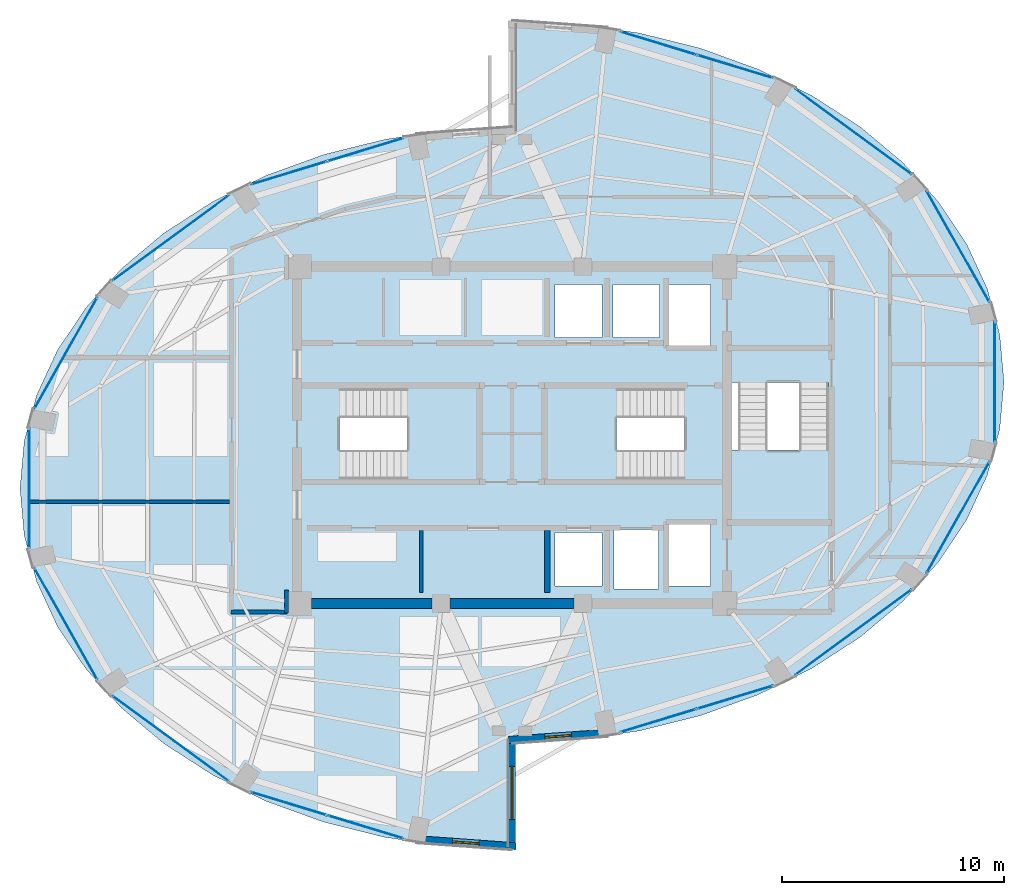
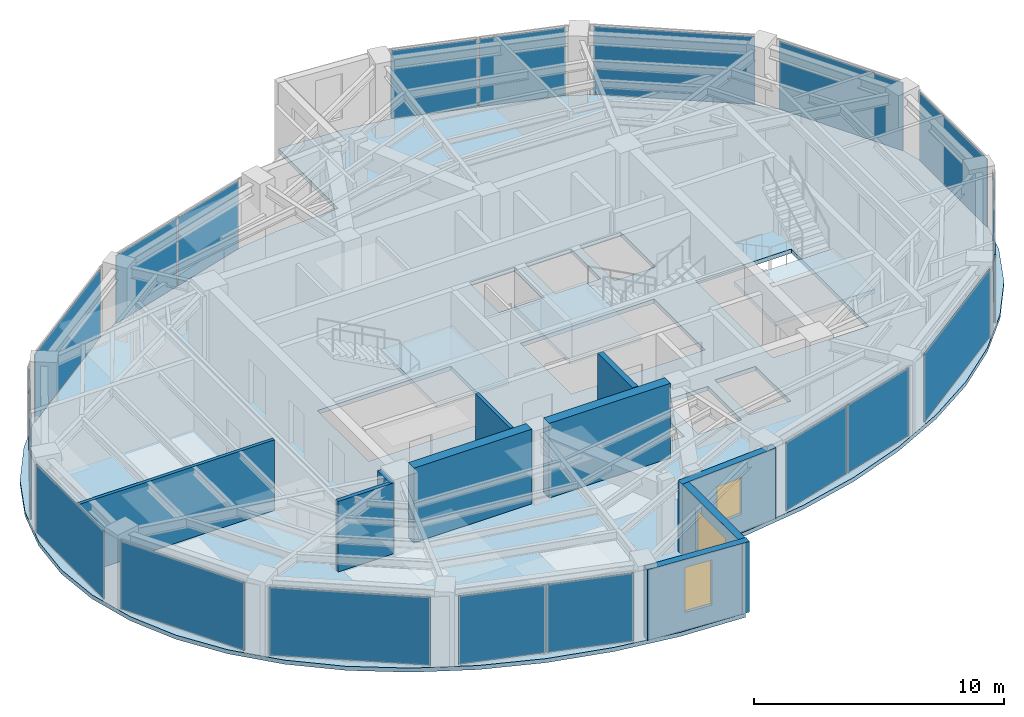
# One storey, part 18 of 23: 18 plates, 10 walls, 4 slabs, 3 windows, 3 openings, 17 elements without a shape of their own.
"""IFC4 building model written with IfcOpenShell, lengths in metres."""

from ifc_helpers import new_model, si_unit, direction, frame, frame_2d, origin, origin_2d, place, context, subcontext, project, spatial, polyline, rectangle, outline, extrude, material, layer, layer_set, type_object, element, fill, aggregate, save


model = new_model("IFC4")

# Units and contexts
model_context = context("Model", 3, precision=1e-05, world=origin(), true_north=direction((0.0, 1.0)))
body_context = subcontext(model_context, "Body", "Model", "MODEL_VIEW")
ifc_project = project(units=[si_unit("LENGTHUNIT", "METRE"), si_unit("AREAUNIT", "SQUARE_METRE"), si_unit("VOLUMEUNIT", "CUBIC_METRE"), si_unit("PLANEANGLEUNIT", "RADIAN"), si_unit("MASSUNIT", "GRAM", prefix="KILO")], contexts=[model_context])

# Site, building, storey
site_placement = place(None, origin())
site = spatial("IfcSite", under=ifc_project, at=site_placement, CompositionType="ELEMENT")
building_placement = place(site_placement, origin())
building = spatial("IfcBuilding", under=site, at=building_placement, Name="Lazwardi Medical Tower", CompositionType="ELEMENT")
storey_placement = place(building_placement, frame((0.0, 0.0, 262.320068359375)))
storey = spatial("IfcBuildingStorey", under=building, at=storey_placement, Name="L68", CompositionType="ELEMENT", Elevation=262.320068359375)

# Curtain wall, plates
ifc_material_1 = material(Name="Anodised bronze aluminium and solar control glazing", Category="aluminium")
ifc_layer_1 = layer(ifc_material_1, 0.18994140625)
ifc_layer_set_1 = layer_set([ifc_layer_1], Name="Anodised bronze aluminium and solar control glazing")
curtain_wall_type = type_object("IfcCurtainWallType", Name="CW-SYS-04", PredefinedType="NOTDEFINED", material=ifc_layer_set_1)
curtain_wall_1_placement = place(storey_placement, origin())
curtain_wall_1 = element("IfcCurtainWall", 1, at=curtain_wall_1_placement, inside=storey, type_object=curtain_wall_type, Name="L68 Unitised bronze curtain wall CW-04", PredefinedType="NOTDEFINED")
ifc_material_2 = material(Name="Low-e bronze solar control double glazing", Category="glass")
ifc_layer_2 = layer(ifc_material_2, 0.035888671875)
ifc_layer_set_2 = layer_set([ifc_layer_2], Name="Low-e bronze solar control double glazing")
plate_type = type_object("IfcPlateType", Name="PLT-GLZ-01", PredefinedType="CURTAIN_PANEL", material=ifc_layer_set_2)
plate_1_placement = place(storey_placement, frame((42.604736328125, 15.118896484375, 0.06494140625), z_axis=(0.0, 0.0, 1.0), x_axis=(0.956850126972, 0.290581889515, 0.0)))
plate_1 = element("IfcPlate", 2, at=plate_1_placement, type_object=plate_type, Name="CW-04 panel 1.1", PredefinedType="CURTAIN_PANEL", context=body_context, shape_type="SweptSolid", body=[
    extrude(rectangle(XDim=3.554443359375, YDim=0.035888671875, at=origin_2d()), origin(), (0.0, 0.0, 1.0), 3.318115234375),
])
plate_2_placement = place(storey_placement, frame((46.068115234375, 16.170654296875, 0.06494140625), z_axis=(0.0, 0.0, 1.0), x_axis=(0.956850126972, 0.290581889515, 0.0)))
plate_2 = element("IfcPlate", 3, at=plate_2_placement, type_object=plate_type, Name="CW-04 panel 2.1", PredefinedType="CURTAIN_PANEL", context=body_context, shape_type="SweptSolid", body=[
    extrude(rectangle(XDim=3.554443359375, YDim=0.035888671875, at=origin_2d()), origin(), (0.0, 0.0, 1.0), 3.318115234375),
])
aggregate(curtain_wall_1, [plate_1, plate_2])

# Curtain wall, plate
curtain_wall_2_placement = place(storey_placement, origin())
curtain_wall_2 = element("IfcCurtainWall", 4, at=curtain_wall_2_placement, inside=storey, type_object=curtain_wall_type, Name="L68 Unitised bronze curtain wall CW-04", PredefinedType="NOTDEFINED")
plate_3_placement = place(storey_placement, frame((51.403564453125, 19.106689453125, 0.06494140625), z_axis=(0.0, 0.0, 1.0), x_axis=(0.806474971121, 0.591268230971, 0.0)))
plate_3 = element("IfcPlate", 5, at=plate_3_placement, type_object=plate_type, Name="CW-04 panel 1.1", PredefinedType="CURTAIN_PANEL", context=body_context, shape_type="SweptSolid", body=[
    extrude(rectangle(XDim=6.502685546875, YDim=0.035888671875, at=origin_2d()), origin(), (0.0, 0.0, 1.0), 3.318115234375),
])
aggregate(curtain_wall_2, [plate_3])

curtain_wall_3_placement = place(storey_placement, origin())
curtain_wall_3 = element("IfcCurtainWall", 6, at=curtain_wall_3_placement, inside=storey, type_object=curtain_wall_type, Name="L68 Unitised bronze curtain wall CW-04", PredefinedType="NOTDEFINED")
plate_4_placement = place(storey_placement, frame((56.125732421875, 24.2880859375, 0.06494140625), z_axis=(0.0, 0.0, 1.0), x_axis=(0.491900474661, 0.870651436011, 0.0)))
plate_4 = element("IfcPlate", 7, at=plate_4_placement, type_object=plate_type, Name="CW-04 panel 1.1", PredefinedType="CURTAIN_PANEL", context=body_context, shape_type="SweptSolid", body=[
    extrude(rectangle(XDim=5.755126953125, YDim=0.035888671875, at=origin_2d()), origin(), (0.0, 0.0, 1.0), 3.318115234375),
])
aggregate(curtain_wall_3, [plate_4])

curtain_wall_4_placement = place(storey_placement, origin())
curtain_wall_4 = element("IfcCurtainWall", 8, at=curtain_wall_4_placement, inside=storey, type_object=curtain_wall_type, Name="L68 Unitised bronze curtain wall CW-04", PredefinedType="NOTDEFINED")
plate_5_placement = place(storey_placement, frame((57.7841796875, 30.39990234375, 0.06494140625), z_axis=(0.0, 0.0, 1.0), x_axis=(0.0, 1.0, 0.0)))
plate_5 = element("IfcPlate", 9, at=plate_5_placement, type_object=plate_type, Name="CW-04 panel 1.1", PredefinedType="CURTAIN_PANEL", context=body_context, shape_type="SweptSolid", body=[
    extrude(rectangle(XDim=5.416015625, YDim=0.035888671875, at=origin_2d()), origin(), (0.0, 0.0, 1.0), 3.318115234375),
])
aggregate(curtain_wall_4, [plate_5])

curtain_wall_5_placement = place(storey_placement, origin())
curtain_wall_5 = element("IfcCurtainWall", 10, at=curtain_wall_5_placement, inside=storey, type_object=curtain_wall_type, Name="L68 Unitised bronze curtain wall CW-04", PredefinedType="NOTDEFINED")
plate_6_placement = place(storey_placement, frame((56.125732421875, 36.511962890625, 0.06494140625), z_axis=(0.0, 0.0, 1.0), x_axis=(-0.491900474661, 0.870651436011, 0.0)))
plate_6 = element("IfcPlate", 11, at=plate_6_placement, type_object=plate_type, Name="CW-04 panel 1.1", PredefinedType="CURTAIN_PANEL", context=body_context, shape_type="SweptSolid", body=[
    extrude(rectangle(XDim=5.755126953125, YDim=0.035888671875, at=origin_2d()), origin(), (0.0, 0.0, 1.0), 3.318115234375),
])
aggregate(curtain_wall_5, [plate_6])

curtain_wall_6_placement = place(storey_placement, origin())
curtain_wall_6 = element("IfcCurtainWall", 12, at=curtain_wall_6_placement, inside=storey, type_object=curtain_wall_type, Name="L68 Unitised bronze curtain wall CW-04", PredefinedType="NOTDEFINED")
plate_7_placement = place(storey_placement, frame((51.403564453125, 41.693359375, 0.06494140625), z_axis=(0.0, 0.0, 1.0), x_axis=(-0.806474971121, 0.591268230971, 0.0)))
plate_7 = element("IfcPlate", 13, at=plate_7_placement, type_object=plate_type, Name="CW-04 panel 1.1", PredefinedType="CURTAIN_PANEL", context=body_context, shape_type="SweptSolid", body=[
    extrude(rectangle(XDim=6.502685546875, YDim=0.035888671875, at=origin_2d()), origin(), (0.0, 0.0, 1.0), 3.318115234375),
])
aggregate(curtain_wall_6, [plate_7])

# Curtain wall, plates
curtain_wall_7_placement = place(storey_placement, origin())
curtain_wall_7 = element("IfcCurtainWall", 14, at=curtain_wall_7_placement, inside=storey, type_object=curtain_wall_type, Name="L68 Unitised bronze curtain wall CW-04", PredefinedType="NOTDEFINED")
plate_8_placement = place(storey_placement, frame((46.068115234375, 44.62939453125, 0.06494140625), z_axis=(0.0, 0.0, 1.0), x_axis=(-0.956850126972, 0.290581889515, 0.0)))
plate_8 = element("IfcPlate", 15, at=plate_8_placement, type_object=plate_type, Name="CW-04 panel 1.1", PredefinedType="CURTAIN_PANEL", context=body_context, shape_type="SweptSolid", body=[
    extrude(rectangle(XDim=3.554443359375, YDim=0.035888671875, at=origin_2d()), origin(), (0.0, 0.0, 1.0), 3.318115234375),
])
plate_9_placement = place(storey_placement, frame((42.604736328125, 45.68115234375, 0.06494140625), z_axis=(0.0, 0.0, 1.0), x_axis=(-0.956850126972, 0.290581889515, 0.0)))
plate_9 = element("IfcPlate", 16, at=plate_9_placement, type_object=plate_type, Name="CW-04 panel 2.1", PredefinedType="CURTAIN_PANEL", context=body_context, shape_type="SweptSolid", body=[
    extrude(rectangle(XDim=3.554443359375, YDim=0.035888671875, at=origin_2d()), origin(), (0.0, 0.0, 1.0), 3.318115234375),
])
aggregate(curtain_wall_7, [plate_8, plate_9])

curtain_wall_8_placement = place(storey_placement, origin())
curtain_wall_8 = element("IfcCurtainWall", 17, at=curtain_wall_8_placement, inside=storey, type_object=curtain_wall_type, Name="L68 Unitised bronze curtain wall CW-04", PredefinedType="NOTDEFINED")
plate_10_placement = place(storey_placement, frame((29.395263671875, 40.881103515625, 0.06494140625), z_axis=(0.0, 0.0, 1.0), x_axis=(-0.956850126972, -0.290581889515, 0.0)))
plate_10 = element("IfcPlate", 18, at=plate_10_placement, type_object=plate_type, Name="CW-04 panel 1.1", PredefinedType="CURTAIN_PANEL", context=body_context, shape_type="SweptSolid", body=[
    extrude(rectangle(XDim=3.554443359375, YDim=0.035888671875, at=origin_2d()), origin(), (0.0, 0.0, 1.0), 3.318115234375),
])
plate_11_placement = place(storey_placement, frame((25.931884765625, 39.829345703125, 0.06494140625), z_axis=(0.0, 0.0, 1.0), x_axis=(-0.956850126972, -0.290581889515, 0.0)))
plate_11 = element("IfcPlate", 19, at=plate_11_placement, type_object=plate_type, Name="CW-04 panel 2.1", PredefinedType="CURTAIN_PANEL", context=body_context, shape_type="SweptSolid", body=[
    extrude(rectangle(XDim=3.554443359375, YDim=0.035888671875, at=origin_2d()), origin(), (0.0, 0.0, 1.0), 3.318115234375),
])
aggregate(curtain_wall_8, [plate_10, plate_11])

# Curtain wall, plate
curtain_wall_9_placement = place(storey_placement, origin())
curtain_wall_9 = element("IfcCurtainWall", 20, at=curtain_wall_9_placement, inside=storey, type_object=curtain_wall_type, Name="L68 Unitised bronze curtain wall CW-04", PredefinedType="NOTDEFINED")
plate_12_placement = place(storey_placement, frame((20.596435546875, 36.893310546875, 0.06494140625), z_axis=(0.0, 0.0, 1.0), x_axis=(-0.806474971121, -0.591268230971, 0.0)))
plate_12 = element("IfcPlate", 21, at=plate_12_placement, type_object=plate_type, Name="CW-04 panel 1.1", PredefinedType="CURTAIN_PANEL", context=body_context, shape_type="SweptSolid", body=[
    extrude(rectangle(XDim=6.502685546875, YDim=0.035888671875, at=origin_2d()), origin(), (0.0, 0.0, 1.0), 3.318115234375),
])
aggregate(curtain_wall_9, [plate_12])

curtain_wall_10_placement = place(storey_placement, origin())
curtain_wall_10 = element("IfcCurtainWall", 22, at=curtain_wall_10_placement, inside=storey, type_object=curtain_wall_type, Name="L68 Unitised bronze curtain wall CW-04", PredefinedType="NOTDEFINED")
plate_13_placement = place(storey_placement, frame((15.874267578125, 31.7119140625, 0.06494140625), z_axis=(0.0, 0.0, 1.0), x_axis=(-0.491900474661, -0.870651436011, 0.0)))
plate_13 = element("IfcPlate", 23, at=plate_13_placement, type_object=plate_type, Name="CW-04 panel 1.1", PredefinedType="CURTAIN_PANEL", context=body_context, shape_type="SweptSolid", body=[
    extrude(rectangle(XDim=5.755126953125, YDim=0.035888671875, at=origin_2d()), origin(), (0.0, 0.0, 1.0), 3.318115234375),
])
aggregate(curtain_wall_10, [plate_13])

curtain_wall_11_placement = place(storey_placement, origin())
curtain_wall_11 = element("IfcCurtainWall", 24, at=curtain_wall_11_placement, inside=storey, type_object=curtain_wall_type, Name="L68 Unitised bronze curtain wall CW-04", PredefinedType="NOTDEFINED")
plate_14_placement = place(storey_placement, frame((14.2158203125, 25.60009765625, 0.06494140625), z_axis=(0.0, 0.0, 1.0), x_axis=(0.0, -1.0, 0.0)))
plate_14 = element("IfcPlate", 25, at=plate_14_placement, type_object=plate_type, Name="CW-04 panel 1.1", PredefinedType="CURTAIN_PANEL", context=body_context, shape_type="SweptSolid", body=[
    extrude(rectangle(XDim=5.416015625, YDim=0.035888671875, at=origin_2d()), origin(), (0.0, 0.0, 1.0), 3.318115234375),
])
aggregate(curtain_wall_11, [plate_14])

curtain_wall_12_placement = place(storey_placement, origin())
curtain_wall_12 = element("IfcCurtainWall", 26, at=curtain_wall_12_placement, inside=storey, type_object=curtain_wall_type, Name="L68 Unitised bronze curtain wall CW-04", PredefinedType="NOTDEFINED")
plate_15_placement = place(storey_placement, frame((15.874267578125, 19.488037109375, 0.06494140625), z_axis=(0.0, 0.0, 1.0), x_axis=(0.491900474661, -0.870651436011, 0.0)))
plate_15 = element("IfcPlate", 27, at=plate_15_placement, type_object=plate_type, Name="CW-04 panel 1.1", PredefinedType="CURTAIN_PANEL", context=body_context, shape_type="SweptSolid", body=[
    extrude(rectangle(XDim=5.755126953125, YDim=0.035888671875, at=origin_2d()), origin(), (0.0, 0.0, 1.0), 3.318115234375),
])
aggregate(curtain_wall_12, [plate_15])

curtain_wall_13_placement = place(storey_placement, origin())
curtain_wall_13 = element("IfcCurtainWall", 28, at=curtain_wall_13_placement, inside=storey, type_object=curtain_wall_type, Name="L68 Unitised bronze curtain wall CW-04", PredefinedType="NOTDEFINED")
plate_16_placement = place(storey_placement, frame((20.596435546875, 14.306640625, 0.06494140625), z_axis=(0.0, 0.0, 1.0), x_axis=(0.806474971121, -0.591268230971, 0.0)))
plate_16 = element("IfcPlate", 29, at=plate_16_placement, type_object=plate_type, Name="CW-04 panel 1.1", PredefinedType="CURTAIN_PANEL", context=body_context, shape_type="SweptSolid", body=[
    extrude(rectangle(XDim=6.502685546875, YDim=0.035888671875, at=origin_2d()), origin(), (0.0, 0.0, 1.0), 3.318115234375),
])
aggregate(curtain_wall_13, [plate_16])

# Curtain wall, plates
curtain_wall_14_placement = place(storey_placement, origin())
curtain_wall_14 = element("IfcCurtainWall", 30, at=curtain_wall_14_placement, inside=storey, type_object=curtain_wall_type, Name="L68 Unitised bronze curtain wall CW-04", PredefinedType="NOTDEFINED")
plate_17_placement = place(storey_placement, frame((25.931884765625, 11.37060546875, 0.06494140625), z_axis=(0.0, 0.0, 1.0), x_axis=(0.956850126972, -0.290581889515, 0.0)))
plate_17 = element("IfcPlate", 31, at=plate_17_placement, type_object=plate_type, Name="CW-04 panel 1.1", PredefinedType="CURTAIN_PANEL", context=body_context, shape_type="SweptSolid", body=[
    extrude(rectangle(XDim=3.554443359375, YDim=0.035888671875, at=origin_2d()), origin(), (0.0, 0.0, 1.0), 3.318115234375),
])
plate_18_placement = place(storey_placement, frame((29.395263671875, 10.31884765625, 0.06494140625), z_axis=(0.0, 0.0, 1.0), x_axis=(0.956850126972, -0.290581889515, 0.0)))
plate_18 = element("IfcPlate", 32, at=plate_18_placement, type_object=plate_type, Name="CW-04 panel 2.1", PredefinedType="CURTAIN_PANEL", context=body_context, shape_type="SweptSolid", body=[
    extrude(rectangle(XDim=3.554443359375, YDim=0.035888671875, at=origin_2d()), origin(), (0.0, 0.0, 1.0), 3.318115234375),
])
aggregate(curtain_wall_14, [plate_17, plate_18])

# Stair, slab
ifc_material_3 = material(Name="Concrete C45/55", Category="concrete")
stair_type = type_object("IfcStairType", Name="STR-WRD", PredefinedType="HALF_TURN_STAIR", material=ifc_material_3)
stair_1_placement = place(storey_placement, origin())
stair_1 = element("IfcStair", 33, at=stair_1_placement, inside=storey, type_object=stair_type, Name="L68 Protected Exit Stair ST1", PredefinedType="HALF_TURN_STAIR")
ifc_layer_3 = layer(ifc_material_3, 0.199951171875)
ifc_layer_set_3 = layer_set([ifc_layer_3], Name="Concrete C45/55")
slab_type_1 = type_object("IfcSlabType", Name="SLB-LND-190", PredefinedType="LANDING", material=ifc_layer_set_3)
slab_1_placement = place(storey_placement, frame((0.0, 0.0, 1.6240234375)))
slab_1 = element("IfcSlab", 34, at=slab_1_placement, type_object=slab_type_1, Name="ST1 landing 1", PredefinedType="LANDING", context=body_context, shape_type="SweptSolid", body=[
    extrude(outline(polyline([(31.27490234375, 25.840087890625), (34.580078125, 25.840087890625), (34.580078125, 30.280029296875), (31.27490234375, 30.280029296875), (31.27490234375, 25.840087890625)])), origin(), (0.0, 0.0, 1.0), 0.199951171875),
])
aggregate(stair_1, [slab_1])

stair_2_placement = place(storey_placement, origin())
stair_2 = element("IfcStair", 35, at=stair_2_placement, inside=storey, type_object=stair_type, Name="L68 Protected Exit Stair ST2", PredefinedType="HALF_TURN_STAIR")
slab_2_placement = place(storey_placement, frame((0.0, 0.0, 1.6240234375)))
slab_2 = element("IfcSlab", 36, at=slab_2_placement, type_object=slab_type_1, Name="ST2 landing 1", PredefinedType="LANDING", context=body_context, shape_type="SweptSolid", body=[
    extrude(outline(polyline([(40.72509765625, 30.280029296875), (37.419921875, 30.280029296875), (37.419921875, 25.840087890625), (40.72509765625, 25.840087890625), (40.72509765625, 30.280029296875)])), origin(), (0.0, 0.0, 1.0), 0.199951171875),
])
aggregate(stair_2, [slab_2])

stair_3_placement = place(storey_placement, origin())
stair_3 = element("IfcStair", 37, at=stair_3_placement, inside=storey, type_object=stair_type, Name="L68 Protected Exit Stair ST3", PredefinedType="HALF_TURN_STAIR")
slab_3_placement = place(storey_placement, frame((0.0, 0.0, 1.6240234375)))
slab_3 = element("IfcSlab", 38, at=slab_3_placement, type_object=slab_type_1, Name="ST3 landing 1", PredefinedType="LANDING", context=body_context, shape_type="SweptSolid", body=[
    extrude(outline(polyline([(45.860107421875, 27.324951171875), (45.860107421875, 24.02001953125), (50.4599609375, 24.02001953125), (50.4599609375, 27.324951171875), (45.860107421875, 27.324951171875)])), origin(), (0.0, 0.0, 1.0), 0.199951171875),
])
aggregate(stair_3, [slab_3])

# Slab
ifc_material_4 = material(Name="Concrete C50/60", Category="concrete")
ifc_layer_4 = layer(ifc_material_4, 0.199951171875)
ifc_layer_set_4 = layer_set([ifc_layer_4], Name="Concrete C50/60")
slab_type_2 = type_object("IfcSlabType", Name="SLB-UPP-200", PredefinedType="FLOOR", material=ifc_layer_set_4)
slab_4_placement = place(storey_placement, frame((0.0, 0.0, -0.199951171875)))
element("IfcSlab", 39, at=slab_4_placement, inside=storey, type_object=slab_type_2, Name="Structural floor slab SF-04 L68", PredefinedType="FLOOR", context=body_context, shape_type="SweptSolid", body=[
    extrude(outline(polyline([(18.3876953125, 15.67724609375), (20.30224609375, 14.07421875), (22.485595703125, 12.668212890625), (24.89990234375, 11.48388671875), (27.50439453125, 10.540771484375), (30.254150390625, 9.85546875), (33.102294921875, 9.439453125), (36.0, 9.300048828125), (36.0, 14.10009765625), (38.897705078125, 14.239501953125), (41.745849609375, 14.655517578125), (44.49560546875, 15.3408203125), (47.10009765625, 16.28369140625), (49.514404296875, 17.46826171875), (51.69775390625, 18.874267578125), (53.6123046875, 20.477294921875), (55.225830078125, 22.25), (56.510009765625, 24.162353515625), (57.443603515625, 26.18115234375), (58.010009765625, 28.2724609375), (58.199951171875, 30.39990234375), (58.010009765625, 32.527587890625), (57.443603515625, 34.618896484375), (56.510009765625, 36.6376953125), (55.225830078125, 38.550048828125), (53.6123046875, 40.32275390625), (51.69775390625, 41.92578125), (49.514404296875, 43.331787109375), (47.10009765625, 44.51611328125), (44.49560546875, 45.459228515625), (41.745849609375, 46.14453125), (38.897705078125, 46.560546875), (36.0, 46.699951171875), (36.0, 41.89990234375), (33.102294921875, 41.760498046875), (30.254150390625, 41.344482421875), (27.50439453125, 40.6591796875), (24.89990234375, 39.71630859375), (22.485595703125, 38.53173828125), (20.30224609375, 37.125732421875), (18.3876953125, 35.522705078125), (16.774169921875, 33.75), (15.489990234375, 31.837646484375), (14.556396484375, 29.81884765625), (13.989990234375, 27.7275390625), (13.800048828125, 25.60009765625), (13.989990234375, 23.472412109375), (14.556396484375, 21.381103515625), (15.489990234375, 19.3623046875), (16.774169921875, 17.449951171875), (18.3876953125, 15.67724609375)]), holes=[polyline([(28.22509765625, 26.02001953125), (28.22509765625, 30.10009765625), (34.39990234375, 30.10009765625), (34.39990234375, 26.02001953125), (28.22509765625, 26.02001953125)]), polyline([(37.60009765625, 30.10009765625), (43.77490234375, 30.10009765625), (43.77490234375, 26.02001953125), (37.60009765625, 26.02001953125), (37.60009765625, 30.10009765625)]), polyline([(50.280029296875, 30.375), (50.280029296875, 24.179931640625), (45.840087890625, 24.179931640625), (45.840087890625, 30.375), (50.280029296875, 30.375)]), polyline([(40.050048828125, 32.39990234375), (37.949951171875, 32.39990234375), (37.949951171875, 34.800048828125), (40.050048828125, 34.800048828125), (40.050048828125, 32.39990234375)]), polyline([(40.550048828125, 32.39990234375), (40.550048828125, 34.800048828125), (42.64990234375, 34.800048828125), (42.64990234375, 32.39990234375), (40.550048828125, 32.39990234375)]), polyline([(37.949951171875, 23.60009765625), (40.050048828125, 23.60009765625), (40.050048828125, 21.199951171875), (37.949951171875, 21.199951171875), (37.949951171875, 23.60009765625)]), polyline([(44.949951171875, 34.800048828125), (44.949951171875, 32.0), (43.050048828125, 32.0), (43.050048828125, 34.800048828125), (44.949951171875, 34.800048828125)]), polyline([(44.949951171875, 21.199951171875), (43.050048828125, 21.199951171875), (43.050048828125, 24.0), (44.949951171875, 24.0), (44.949951171875, 21.199951171875)]), polyline([(40.60009765625, 21.050048828125), (40.60009765625, 23.75), (42.60009765625, 23.75), (42.60009765625, 21.050048828125), (40.60009765625, 21.050048828125)])]), origin(), (0.0, 0.0, 1.0), 0.199951171875),
])

# Walls
ifc_material_5 = material(Name="Fire-rated gypsum board on steel stud", Category="steel")
ifc_layer_5 = layer(ifc_material_5, 0.179931640625)
ifc_layer_set_5 = layer_set([ifc_layer_5], Name="Fire-rated gypsum board on steel stud")
wall_type_1 = type_object("IfcWallType", Name="WL-COR-180", PredefinedType="PARTITIONING", material=ifc_layer_set_5)
wall_1_placement = place(storey_placement, frame((25.830078125, 21.010009765625, 0.0), z_axis=(0.0, 0.0, 1.0), x_axis=(0.0, -1.0, 0.0)))
element("IfcWall", 40, at=wall_1_placement, inside=storey, type_object=wall_type_1, Name="L68 Corridor partition 8", PredefinedType="PARTITIONING", context=body_context, shape_type="SweptSolid", body=[
    extrude(rectangle(XDim=1.030029296875, YDim=0.179931640625, at=frame_2d((0.51513671875, 0.0))), origin(), (0.0, 0.0, 1.0), 3.447998046875),
])
wall_2_placement = place(storey_placement, frame((25.8701171875, 20.02001953125, 0.0), z_axis=(0.0, 0.0, 1.0), x_axis=(-1.0, 0.0, 0.0)))
element("IfcWall", 41, at=wall_2_placement, inside=storey, type_object=wall_type_1, Name="L68 Corridor partition 9", PredefinedType="PARTITIONING", context=body_context, shape_type="SweptSolid", body=[
    extrude(rectangle(XDim=2.56005859375, YDim=0.179931640625, at=frame_2d((1.280029296875, 0.0))), origin(), (0.0, 0.0, 1.0), 3.447998046875),
])
ifc_material_6 = material(Name="Concrete C60/75", Category="concrete")
ifc_layer_6 = layer(ifc_material_6, 0.449951171875)
ifc_layer_set_6 = layer_set([ifc_layer_6], Name="Concrete C60/75")
wall_type_2 = type_object("IfcWallType", Name="WL-CORE-450", PredefinedType="SHEAR", material=ifc_layer_set_6)
wall_3_placement = place(storey_placement, frame((26.949951171875, 20.39990234375, 0.0), z_axis=(0.0, 0.0, 1.0), x_axis=(1.0, 0.0, 0.0)))
element("IfcWall", 42, at=wall_3_placement, inside=storey, type_object=wall_type_2, Name="Core wall CW-S4 S1 L68", PredefinedType="SHEAR", context=body_context, shape_type="SweptSolid", body=[
    extrude(rectangle(XDim=5.449951171875, YDim=0.449951171875, at=frame_2d((2.72509765625, 0.0))), origin(), (0.0, 0.0, 1.0), 3.64794921875),
])
wall_4_placement = place(storey_placement, frame((33.199951171875, 20.39990234375, 0.0), z_axis=(0.0, 0.0, 1.0), x_axis=(1.0, 0.0, 0.0)))
element("IfcWall", 43, at=wall_4_placement, inside=storey, type_object=wall_type_2, Name="Core wall CW-S4 S2 L68", PredefinedType="SHEAR", context=body_context, shape_type="SweptSolid", body=[
    extrude(rectangle(XDim=5.60009765625, YDim=0.449951171875, at=frame_2d((2.800048828125, 0.0))), origin(), (0.0, 0.0, 1.0), 3.64794921875),
])

# Wall, opening, window
ifc_material_7 = material(Name="Precast concrete C45/55", Category="concrete")
ifc_layer_7 = layer(ifc_material_7, 0.320068359375)
ifc_layer_set_7 = layer_set([ifc_layer_7], Name="Precast concrete C45/55")
wall_type_3 = type_object("IfcWallType", Name="WL-IWAN-320", PredefinedType="SOLIDWALL", material=ifc_layer_set_7)
wall_5_placement = place(storey_placement, frame((35.820556640625, 14.2470703125, 0.0), z_axis=(0.0, 0.0, 1.0), x_axis=(0.997409061056, 0.071938619141, 0.0)))
wall_5 = element("IfcWall", 44, at=wall_5_placement, inside=storey, type_object=wall_type_3, Name="L68 Iwan Portal Return Wall SE_ret", PredefinedType="SOLIDWALL", context=body_context, shape_type="SweptSolid", body=[
    extrude(rectangle(XDim=4.540771484375, YDim=0.320068359375, at=frame_2d((2.2705078125, 0.0))), origin(), (0.0, 0.0, 1.0), 3.447998046875),
])
opening_1_placement = place(wall_5_placement, frame((1.67041015625, 0.0, 0.85009765625)))
opening_1 = element("IfcOpeningElement", 45, at=opening_1_placement, cuts=wall_5, Name="Opening WN-04", PredefinedType="OPENING", context=body_context, shape_type="SweptSolid", body=[
    extrude(rectangle(XDim=1.199951171875, YDim=1.800048828125, at=frame_2d((0.60009765625, 0.89990234375))), frame((0.0, 0.169921875, 0.0), z_axis=(0.0, -1.0, 0.0), x_axis=(1.0, 0.0, 0.0)), (0.0, 0.0, 1.0), 0.340087890625),
])
window_type_1 = type_object("IfcWindowType", Name="WIN-DRUM-1200", PartitioningType="SINGLE_PANEL", PredefinedType="WINDOW", material=ifc_material_2)
window_1_placement = place(opening_1_placement, origin())
window_1 = element("IfcWindow", 46, at=window_1_placement, inside=storey, type_object=window_type_1, Name="L68 Iwan Slot Window SE_ret", OverallHeight=1.800048828125, OverallWidth=1.199951171875, PartitioningType="SINGLE_PANEL", PredefinedType="WINDOW", context=body_context, shape_type="SweptSolid", body=[
    extrude(rectangle(XDim=1.199951171875, YDim=1.800048828125, at=frame_2d((0.60009765625, 0.89990234375))), frame((0.0, 0.030029296875, 0.0), z_axis=(0.0, -1.0, 0.0), x_axis=(1.0, 0.0, 0.0)), (0.0, 0.0, 1.0), 0.06005859375),
])
fill(opening_1, window_1)

wall_6_placement = place(storey_placement, frame((31.650390625, 9.773681640625, 0.0), z_axis=(0.0, 0.0, 1.0), x_axis=(0.997408782787, -0.071942477163, 0.0)))
wall_6 = element("IfcWall", 47, at=wall_6_placement, inside=storey, type_object=wall_type_3, Name="L68 Iwan Portal Return Wall SW_ret", PredefinedType="SOLIDWALL", context=body_context, shape_type="SweptSolid", body=[
    extrude(rectangle(XDim=4.54052734375, YDim=0.320068359375, at=frame_2d((2.270263671875, 0.0))), origin(), (0.0, 0.0, 1.0), 3.447998046875),
])
opening_2_placement = place(wall_6_placement, frame((1.67041015625, 0.0, 0.85009765625)))
opening_2 = element("IfcOpeningElement", 48, at=opening_2_placement, cuts=wall_6, Name="Opening WN-01", PredefinedType="OPENING", context=body_context, shape_type="SweptSolid", body=[
    extrude(rectangle(XDim=1.199951171875, YDim=2.199951171875, at=frame_2d((0.60009765625, 1.10009765625))), frame((0.0, 0.169921875, 0.0), z_axis=(0.0, -1.0, 0.0), x_axis=(1.0, 0.0, 0.0)), (0.0, 0.0, 1.0), 0.340087890625),
])
window_type_2 = type_object("IfcWindowType", Name="WIN-IW-1200", PartitioningType="SINGLE_PANEL", PredefinedType="WINDOW", material=ifc_material_2)
window_2_placement = place(opening_2_placement, origin())
window_2 = element("IfcWindow", 49, at=window_2_placement, inside=storey, type_object=window_type_2, Name="L68 Iwan Slot Window SW_ret", OverallHeight=2.199951171875, OverallWidth=1.199951171875, PartitioningType="SINGLE_PANEL", PredefinedType="WINDOW", context=body_context, shape_type="SweptSolid", body=[
    extrude(rectangle(XDim=1.199951171875, YDim=2.199951171875, at=frame_2d((0.60009765625, 1.10009765625))), frame((0.0, 0.030029296875, 0.0), z_axis=(0.0, -1.0, 0.0), x_axis=(1.0, 0.0, 0.0)), (0.0, 0.0, 1.0), 0.06005859375),
])
fill(opening_2, window_2)

wall_7_placement = place(storey_placement, frame((36.0, 9.300048828125, 0.0), z_axis=(0.0, 0.0, 1.0), x_axis=(0.0, 1.0, 0.0)))
wall_7 = element("IfcWall", 50, at=wall_7_placement, inside=storey, type_object=wall_type_3, Name="L68 Turquoise Tilework Iwan Seam Wall S_seam", PredefinedType="SOLIDWALL", context=body_context, shape_type="SweptSolid", body=[
    extrude(rectangle(XDim=5.119873046875, YDim=0.320068359375, at=frame_2d((2.56005859375, 0.0))), origin(), (0.0, 0.0, 1.0), 3.447998046875),
])
opening_3_placement = place(wall_7_placement, frame((1.360107421875, 0.0, 0.840087890625)))
opening_3 = element("IfcOpeningElement", 51, at=opening_3_placement, cuts=wall_7, Name="Opening WN-02", PredefinedType="OPENING", context=body_context, shape_type="SweptSolid", body=[
    extrude(rectangle(XDim=2.39990234375, YDim=2.0400390625, at=frame_2d((1.199951171875, 1.02001953125))), frame((0.0, 0.169921875, 0.0), z_axis=(0.0, -1.0, 0.0), x_axis=(1.0, 0.0, 0.0)), (0.0, 0.0, 1.0), 0.340087890625),
])
window_type_3 = type_object("IfcWindowType", Name="WIN-IW-2400", PartitioningType="SINGLE_PANEL", PredefinedType="WINDOW", material=ifc_material_2)
window_3_placement = place(opening_3_placement, origin())
window_3 = element("IfcWindow", 52, at=window_3_placement, inside=storey, type_object=window_type_3, Name="L68 Iwan Seam Window S_seam", OverallHeight=2.0400390625, OverallWidth=2.39990234375, PartitioningType="SINGLE_PANEL", PredefinedType="WINDOW", context=body_context, shape_type="SweptSolid", body=[
    extrude(rectangle(XDim=2.39990234375, YDim=2.0400390625, at=frame_2d((1.199951171875, 1.02001953125))), frame((0.0, 0.030029296875, 0.0), z_axis=(0.0, -1.0, 0.0), x_axis=(1.0, 0.0, 0.0)), (0.0, 0.0, 1.0), 0.06005859375),
])
fill(opening_3, window_3)

# Walls
ifc_material_8 = material(Name="Autoclaved aerated concrete blockwork", Category="masonry")
ifc_layer_8 = layer(ifc_material_8, 0.25)
ifc_layer_set_8 = layer_set([ifc_layer_8], Name="Autoclaved aerated concrete blockwork")
wall_type_4 = type_object("IfcWallType", Name="WL-SHAFT-250", PredefinedType="SOLIDWALL", material=ifc_layer_set_8)
wall_8_placement = place(storey_placement, frame((37.60009765625, 20.89990234375, 0.0), z_axis=(0.0, 0.0, 1.0), x_axis=(0.0, 1.0, 0.0)))
element("IfcWall", 53, at=wall_8_placement, inside=storey, type_object=wall_type_4, Name="L68 South hoistway divider", PredefinedType="SOLIDWALL", context=body_context, shape_type="SweptSolid", body=[
    extrude(rectangle(XDim=2.800048828125, YDim=0.25, at=frame_2d((1.39990234375, 0.0))), origin(), (0.0, 0.0, 1.0), 3.447998046875),
])
ifc_material_9 = material(Name="Acoustic gypsum board partition")
ifc_layer_9 = layer(ifc_material_9, 0.14990234375)
ifc_layer_set_9 = layer_set([ifc_layer_9], Name="Acoustic gypsum board partition")
wall_type_5 = type_object("IfcWallType", Name="WL-WRD-150", PredefinedType="PARTITIONING", material=ifc_layer_set_9)
wall_9_placement = place(storey_placement, frame((31.89990234375, 20.89990234375, 0.0), z_axis=(0.0, 0.0, 1.0), x_axis=(0.0, 1.0, 0.0)))
element("IfcWall", 54, at=wall_9_placement, inside=storey, type_object=wall_type_5, Name="L68 Freed bay2 S split", PredefinedType="PARTITIONING", context=body_context, shape_type="SweptSolid", body=[
    extrude(rectangle(XDim=2.800048828125, YDim=0.14990234375, at=frame_2d((1.39990234375, 0.0))), origin(), (0.0, 0.0, 1.0), 3.447998046875),
])
wall_10_placement = place(storey_placement, frame((14.228271484375, 25.0, 0.0), z_axis=(0.0, 0.0, 1.0), x_axis=(1.0, 0.0, 0.0)))
element("IfcWall", 55, at=wall_10_placement, inside=storey, type_object=wall_type_5, Name="L68 Room partition 1", PredefinedType="PARTITIONING", context=body_context, shape_type="SweptSolid", body=[
    extrude(rectangle(XDim=9.03173828125, YDim=0.14990234375, at=frame_2d((4.515869140625, 0.0))), origin(), (0.0, 0.0, 1.0), 3.447998046875),
])

save(model, "model.ifc")
